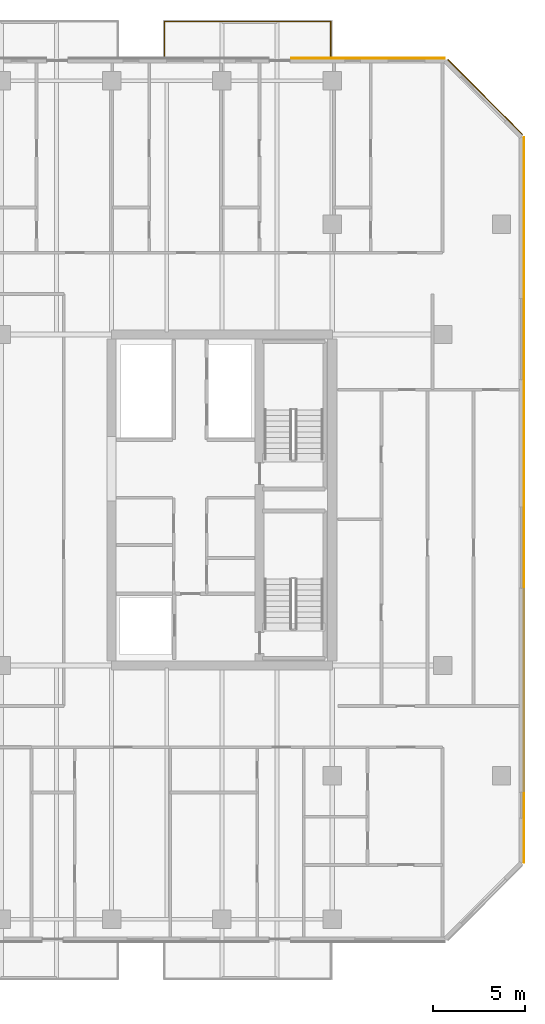
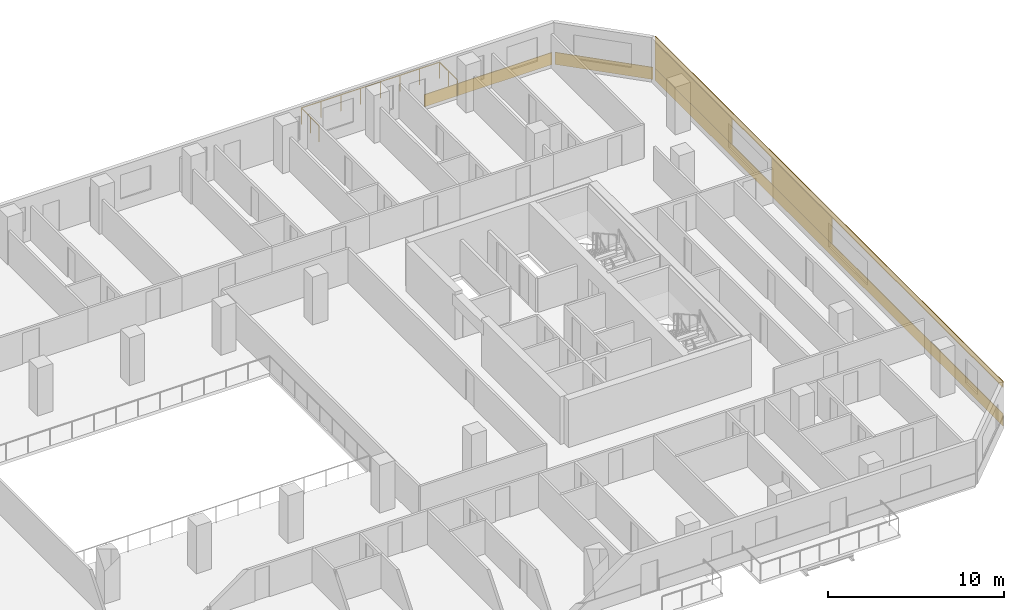
# One storey, part 23 of 23: 6 coverings, 1 railing.
"""IFC4 building model written with IfcOpenShell, lengths in metres."""

import ifcopenshell
import ifcopenshell.guid

model = None  # the IFC model being written
_history = None  # IfcOwnerHistory: only IFC2X3 demands one
_inside = {}  # id of a spatial element -> (the spatial element, [elements in it])
_under = {}  # id of a project, library or spatial element -> (it, [spatial elements below it])
_declared = {}  # id of a project -> (the project, [libraries it declares])
_typed = {}  # id of a type object -> (the type object, [elements of that type])
_made_of = {}  # id of a material, layer set ... -> (it, [elements and type objects made of it])


def new_model(schema):
    """Start an empty IFC model of exactly this schema.

    Asked for "IFC4X3", IfcOpenShell would pick the latest addendum, in which some entities
    have other attributes; the version numbers below select the first issue.
    IFC2X3 requires an IfcOwnerHistory on every rooted entity: one is made here for all.
    """
    global model, _history
    if schema == "IFC4X3":
        model = ifcopenshell.file(schema_version=(4, 3, 0, 0))
    else:
        model = ifcopenshell.file(schema=schema)
    _inside.clear()
    _under.clear()
    _declared.clear()
    _typed.clear()
    _made_of.clear()
    _history = None
    if model.schema == "IFC2X3":
        org = make("IfcOrganization", Name="unknown")
        user = make(
            "IfcPersonAndOrganization",
            ThePerson=make("IfcPerson", FamilyName="unknown"),
            TheOrganization=org,
        )
        app = make(
            "IfcApplication",
            ApplicationDeveloper=org,
            Version="unknown",
            ApplicationFullName="unknown",
            ApplicationIdentifier="unknown",
        )
        _history = make(
            "IfcOwnerHistory",
            OwningUser=user,
            OwningApplication=app,
            ChangeAction="ADDED",
            CreationDate=0,
        )
    return model


def make(cls, **values):
    """One entity of the class cls with the attributes given. An attribute that is None is left unset."""
    return model.create_entity(
        cls, **{name: value for name, value in values.items() if value is not None}
    )


def rooted(cls, **values):
    """An entity with a GlobalId (a new one), such as an element, a storey or a relation."""
    return make(cls, GlobalId=ifcopenshell.guid.new(), OwnerHistory=_history, **values)


def si_unit(unit_type, name, prefix=None):
    """IfcSIUnit, for example si_unit("LENGTHUNIT", "METRE", prefix="MILLI")."""
    return make("IfcSIUnit", UnitType=unit_type, Prefix=prefix, Name=name)


def assignment(units):
    """IfcUnitAssignment: the units of a project."""
    return None if units is None else make("IfcUnitAssignment", Units=units)


def point(xyz):
    """IfcCartesianPoint."""
    return None if xyz is None else make("IfcCartesianPoint", Coordinates=xyz)


def direction(xyz):
    """IfcDirection."""
    return None if xyz is None else make("IfcDirection", DirectionRatios=xyz)


def frame(location, z_axis=None, x_axis=None):
    """IfcAxis2Placement3D, a coordinate frame: its origin and axes. An axis left out is left unset."""
    return make(
        "IfcAxis2Placement3D",
        Location=point(location),
        Axis=direction(z_axis),
        RefDirection=direction(x_axis),
    )


def frame_2d(location, x_axis=None):
    """IfcAxis2Placement2D, a coordinate frame in the plane: its origin and x axis."""
    return make(
        "IfcAxis2Placement2D", Location=point(location), RefDirection=direction(x_axis)
    )


def origin():
    """The frame at (0, 0, 0) with its axes left unset."""
    return frame((0.0, 0.0, 0.0))


def origin_2d():
    """The frame at (0, 0) in the plane with its x axis left unset."""
    return frame_2d((0.0, 0.0))


def place(relative_to, where):
    """IfcLocalPlacement: puts the frame where relative to a parent placement (None: the world)."""
    return make(
        "IfcLocalPlacement", PlacementRelTo=relative_to, RelativePlacement=where
    )


def context(
    kind, dimensions, precision=None, world=None, true_north=None, identifier=None
):
    """IfcGeometricRepresentationContext, for example the 3D "Model" context."""
    return make(
        "IfcGeometricRepresentationContext",
        ContextIdentifier=identifier,
        ContextType=kind,
        CoordinateSpaceDimension=dimensions,
        Precision=precision,
        WorldCoordinateSystem=world,
        TrueNorth=true_north,
    )


def subcontext(parent, identifier, kind, view, scale=None):
    """IfcGeometricRepresentationSubContext, for example "Body" below "Model"."""
    return make(
        "IfcGeometricRepresentationSubContext",
        ContextIdentifier=identifier,
        ContextType=kind,
        ParentContext=parent,
        TargetScale=scale,
        TargetView=view,
    )


def project(units=None, contexts=None):
    """IfcProject with its units and contexts."""
    return rooted(
        "IfcProject",
        Name="project",
        RepresentationContexts=contexts,
        UnitsInContext=assignment(units),
    )


def spatial(cls, under=None, at=None, **own):
    """A site, building, storey or space (cls), placed at a placement, below another one or the project."""
    s = rooted(cls, ObjectPlacement=at, **own)
    if under is not None:
        _under.setdefault(under.id(), (under, []))[1].append(s)
    return s


def profile(cls, at=None, kind="AREA", **sizes):
    """A parametric profile (cls). Its sizes go by their IFC names, for example OverallWidth=200.0."""
    return make(cls, ProfileType=kind, Position=at, **sizes)


def rectangle(**sizes):
    """IfcRectangleProfileDef."""
    return profile("IfcRectangleProfileDef", **sizes)


def extrude(swept, where, along, depth):
    """IfcExtrudedAreaSolid: the profile swept, set in the frame where, extruded along a direction by depth."""
    return make(
        "IfcExtrudedAreaSolid",
        SweptArea=swept,
        Position=where,
        ExtrudedDirection=direction(along),
        Depth=depth,
    )


def shape(context_of_items, identifier, shape_type, items):
    """IfcShapeRepresentation: the items that make up one representation, for example the "Body"."""
    return make(
        "IfcShapeRepresentation",
        ContextOfItems=context_of_items,
        RepresentationIdentifier=identifier,
        RepresentationType=shape_type,
        Items=items,
    )


def material(Name=None, Category=None):
    """IfcMaterial."""
    return make("IfcMaterial", Name=Name, Category=Category)


def layer(
    of_material, thickness, ventilated=None, Name=None, Category=None, Priority=None
):
    """IfcMaterialLayer: one layer of a wall or slab, of a material (None: an air gap)."""
    return make(
        "IfcMaterialLayer",
        Material=of_material,
        LayerThickness=thickness,
        IsVentilated=ventilated,
        Name=Name,
        Category=Category,
        Priority=Priority,
    )


def layer_set(layers, Name=None):
    """IfcMaterialLayerSet."""
    return make("IfcMaterialLayerSet", MaterialLayers=layers, LayerSetName=Name)


def made_of(thing, what):
    """Note that an element or type object is made of a material, layer set ...; save() writes the relation."""
    if what is not None:
        _made_of.setdefault(what.id(), (what, []))[1].append(thing)
    return thing


def type_object(cls, material=None, **own):
    """A type object (cls), such as IfcWallType, which elements share."""
    return made_of(rooted(cls, **own), material)


def element(
    cls,
    number,
    at=None,
    inside=None,
    cuts=None,
    type_object=None,
    material=None,
    context=None,
    identifier="Body",
    shape_type=None,
    held_by="IfcProductDefinitionShape",
    body=None,
    shapes=None,
    **own,
):
    """One element of the class cls, such as IfcWall. Its Tag is "e" and its number.

    at: its placement. inside: the storey or other place that contains it. cuts: it is an
    opening in that element (IfcRelVoidsElement). A single representation is given by context,
    identifier, shape_type and body (its items); several are given by shapes. held_by: the class
    of the entity that holds the representations. save() writes the other relations.
    """
    e = rooted(cls, Tag="e%d" % number, ObjectPlacement=at, **own)
    if body is not None:
        shapes = [shape(context, identifier, shape_type, body)]
    if shapes is not None:
        e.Representation = make(held_by, Representations=shapes)
    if inside is not None:
        _inside.setdefault(inside.id(), (inside, []))[1].append(e)
    if cuts is not None:
        rooted(
            "IfcRelVoidsElement", RelatingBuildingElement=cuts, RelatedOpeningElement=e
        )
    if type_object is not None:
        _typed.setdefault(type_object.id(), (type_object, []))[1].append(e)
    return made_of(e, material)


def aggregate(whole, parts):
    """IfcRelAggregates: a whole, such as a stair, and the parts it consists of."""
    return rooted("IfcRelAggregates", RelatingObject=whole, RelatedObjects=parts)


def save(model, path):
    """Write the relations noted so far, then the file.

    IfcRelAggregates (storeys below a building ...), IfcRelContainedInSpatialStructure (elements
    in a storey), IfcRelDefinesByType, IfcRelAssociatesMaterial and IfcRelDeclares: one each for
    every whole, place, type object, material and project.
    """
    for whole, parts in _under.values():
        aggregate(whole, parts)
    for where, things in _inside.values():
        rooted(
            "IfcRelContainedInSpatialStructure",
            RelatedElements=things,
            RelatingStructure=where,
        )
    for kind, things in _typed.values():
        rooted("IfcRelDefinesByType", RelatedObjects=things, RelatingType=kind)
    for what, things in _made_of.values():
        rooted("IfcRelAssociatesMaterial", RelatedObjects=things, RelatingMaterial=what)
    for by, libraries in _declared.values():
        rooted("IfcRelDeclares", RelatingContext=by, RelatedDefinitions=libraries)
    model.write(path)


model = new_model("IFC4")

# Units and contexts
model_context = context("Model", 3, precision=1e-05, world=origin(), true_north=direction((0.0, 1.0)))
body_context = subcontext(model_context, "Body", "Model", "MODEL_VIEW")
ifc_project = project(units=[si_unit("LENGTHUNIT", "METRE"), si_unit("AREAUNIT", "SQUARE_METRE"), si_unit("VOLUMEUNIT", "CUBIC_METRE"), si_unit("PLANEANGLEUNIT", "RADIAN"), si_unit("MASSUNIT", "GRAM", prefix="KILO")], contexts=[model_context])

# Site, building, storey
site_placement = place(None, origin())
site = spatial("IfcSite", under=ifc_project, at=site_placement, CompositionType="ELEMENT")
building_placement = place(site_placement, origin())
building = spatial("IfcBuilding", under=site, at=building_placement, Name="Tanjung Sevakor Pilgrim Tower", CompositionType="ELEMENT")
storey_placement = place(building_placement, frame((0.0, 0.0, 98.669921875)))
storey = spatial("IfcBuildingStorey", under=building, at=storey_placement, Name="L27", CompositionType="ELEMENT", Elevation=98.669921875)

# Coverings
ifc_material_1 = material(Name="Reconstructed Limestone Cladding", Category="masonry")
ifc_layer = layer(ifc_material_1, 0.044921875)
ifc_layer_set = layer_set([ifc_layer], Name="COV-CLAD-LIMESTONE")
covering_type = type_object("IfcCoveringType", Name="COV-CLAD-LIMESTONE", PredefinedType="CLADDING", material=ifc_layer_set)
covering_1_placement = place(storey_placement, frame((100.422607421875, 33.60009765625, 0.01025390625), z_axis=(0.0, 0.0, 1.0), x_axis=(0.0, 1.0, 0.0)))
element("IfcCovering", 1, at=covering_1_placement, inside=storey, type_object=covering_type, Name="L27 Warm Limestone Sill Spandrel EW-L27-MAIN-7-1", PredefinedType="CLADDING", context=body_context, shape_type="SweptSolid", body=[
    extrude(rectangle(XDim=39.41650390625, YDim=0.044921875, at=origin_2d()), origin(), (0.0, 0.0, 1.0), 0.840087890625),
])
covering_2_placement = place(storey_placement, frame((100.422607421875, 33.60009765625, 2.66015625), z_axis=(0.0, 0.0, 1.0), x_axis=(0.0, 1.0, 0.0)))
element("IfcCovering", 2, at=covering_2_placement, inside=storey, type_object=covering_type, Name="L27 Warm Limestone Cornice Spandrel EW-L27-MAIN-7", PredefinedType="CLADDING", context=body_context, shape_type="SweptSolid", body=[
    extrude(rectangle(XDim=39.456298828125, YDim=0.044921875, at=origin_2d()), origin(), (0.0, 0.0, 1.0), 0.409912109375),
])
covering_3_placement = place(storey_placement, frame((100.422607421875, 36.679931640625, 0.85009765625), z_axis=(0.0, 0.0, 1.0), x_axis=(0.0, 1.0, 0.0)))
element("IfcCovering", 3, at=covering_3_placement, inside=storey, type_object=covering_type, Name="L27 Warm Limestone Pier Panel EW-L27-MAIN-7-2", PredefinedType="CLADDING", context=body_context, shape_type="SweptSolid", body=[
    extrude(rectangle(XDim=6.840087890625, YDim=0.044921875, at=origin_2d()), origin(), (0.0, 0.0, 1.0), 1.81005859375),
])
covering_4_placement = place(storey_placement, frame((100.422607421875, 48.9541015625, 0.85009765625), z_axis=(0.0, 0.0, 1.0), x_axis=(0.0, 1.0, 0.0)))
element("IfcCovering", 4, at=covering_4_placement, inside=storey, type_object=covering_type, Name="L27 Warm Limestone Pier Panel EW-L27-MAIN-7-3", PredefinedType="CLADDING", context=body_context, shape_type="SweptSolid", body=[
    extrude(rectangle(XDim=8.708251953125, YDim=0.044921875, at=origin_2d()), origin(), (0.0, 0.0, 1.0), 1.81005859375),
])
covering_5_placement = place(storey_placement, frame((98.31591796875, 55.515869140625, 0.01025390625), z_axis=(0.0, 0.0, 1.0), x_axis=(-0.707106781187, 0.707106781187, 0.0)))
element("IfcCovering", 5, at=covering_5_placement, inside=storey, type_object=covering_type, Name="L27 Warm Limestone Sill Spandrel EW-CHM-L27-MAIN-7-1", PredefinedType="CLADDING", context=body_context, shape_type="SweptSolid", body=[
    extrude(rectangle(XDim=5.756103515625, YDim=0.044921875, at=origin_2d()), origin(), (0.0, 0.0, 1.0), 0.840087890625),
])
covering_6_placement = place(storey_placement, frame((91.93408203125, 57.62255859375, 0.01025390625), z_axis=(0.0, 0.0, 1.0), x_axis=(-1.0, 0.0, 0.0)))
element("IfcCovering", 6, at=covering_6_placement, inside=storey, type_object=covering_type, Name="L27 Warm Limestone Sill Spandrel EW-L27-MAIN-9-1", PredefinedType="CLADDING", context=body_context, shape_type="SweptSolid", body=[
    extrude(rectangle(XDim=8.34814453125, YDim=0.044921875, at=origin_2d()), origin(), (0.0, 0.0, 1.0), 0.840087890625),
])

# Railing
ifc_material_2 = material(Name="Laminated Glass and Aluminium", Category="aluminium")
railing_type = type_object("IfcRailingType", Name="RL-BAL-BALUST", PredefinedType="BALUSTRADE", material=ifc_material_2)
railing_placement = place(storey_placement, frame((80.8798828125, 57.60009765625, 0.0)))
element("IfcRailing", 7, at=railing_placement, inside=storey, type_object=railing_type, Name="L27 Loggia Balustrade MAIN-N4", PredefinedType="BALUSTRADE", context=body_context, shape_type="SweptSolid", body=[
    extrude(rectangle(XDim=0.0479, YDim=0.0479), frame((0.0, 0.0, 1.1259765625), z_axis=(0.0, 1.0, 0.0), x_axis=(-1.0, 0.0, 0.0)), (0.0, 0.0, 1.0), 2.02001953125),
    extrude(rectangle(XDim=0.0479, YDim=0.0479), frame((0.0, 2.02001953125, 1.1259765625), z_axis=(1.0, 0.0, 0.0), x_axis=(0.0, 1.0, 0.0)), (0.0, 0.0, 1.0), 9.0400390625),
    extrude(rectangle(XDim=0.0479, YDim=0.0479), frame((9.0400390625, 2.02001953125, 1.1259765625), z_axis=(0.0, -1.0, 0.0), x_axis=(1.0, 0.0, 0.0)), (0.0, 0.0, 1.0), 2.02001953125),
    extrude(rectangle(XDim=0.042, YDim=0.042), origin(), (0.0, 0.0, 1.0), 1.101806640625),
    extrude(rectangle(XDim=0.042, YDim=0.042), frame((0.0, 1.010009765625, 0.0)), (0.0, 0.0, 1.0), 1.101806640625),
    extrude(rectangle(XDim=0.042, YDim=0.042), frame((0.0, 2.02001953125, 0.0)), (0.0, 0.0, 1.0), 1.101806640625),
    extrude(rectangle(XDim=0.042, YDim=0.042), frame((1.29150390625, 2.02001953125, 0.0)), (0.0, 0.0, 1.0), 1.101806640625),
    extrude(rectangle(XDim=0.042, YDim=0.042), frame((2.582763671875, 2.02001953125, 0.0)), (0.0, 0.0, 1.0), 1.101806640625),
    extrude(rectangle(XDim=0.042, YDim=0.042), frame((3.874267578125, 2.02001953125, 0.0)), (0.0, 0.0, 1.0), 1.101806640625),
    extrude(rectangle(XDim=0.042, YDim=0.042), frame((5.165771484375, 2.02001953125, 0.0)), (0.0, 0.0, 1.0), 1.101806640625),
    extrude(rectangle(XDim=0.042, YDim=0.042), frame((6.457275390625, 2.02001953125, 0.0)), (0.0, 0.0, 1.0), 1.101806640625),
    extrude(rectangle(XDim=0.042, YDim=0.042), frame((7.74853515625, 2.02001953125, 0.0)), (0.0, 0.0, 1.0), 1.101806640625),
    extrude(rectangle(XDim=0.042, YDim=0.042), frame((9.0400390625, 2.02001953125, 0.0)), (0.0, 0.0, 1.0), 1.101806640625),
    extrude(rectangle(XDim=0.042, YDim=0.042), frame((9.0400390625, 1.010009765625, 0.0)), (0.0, 0.0, 1.0), 1.101806640625),
    extrude(rectangle(XDim=0.042, YDim=0.042), frame((9.0400390625, 0.0, 0.0)), (0.0, 0.0, 1.0), 1.101806640625),
])

save(model, "model.ifc")
